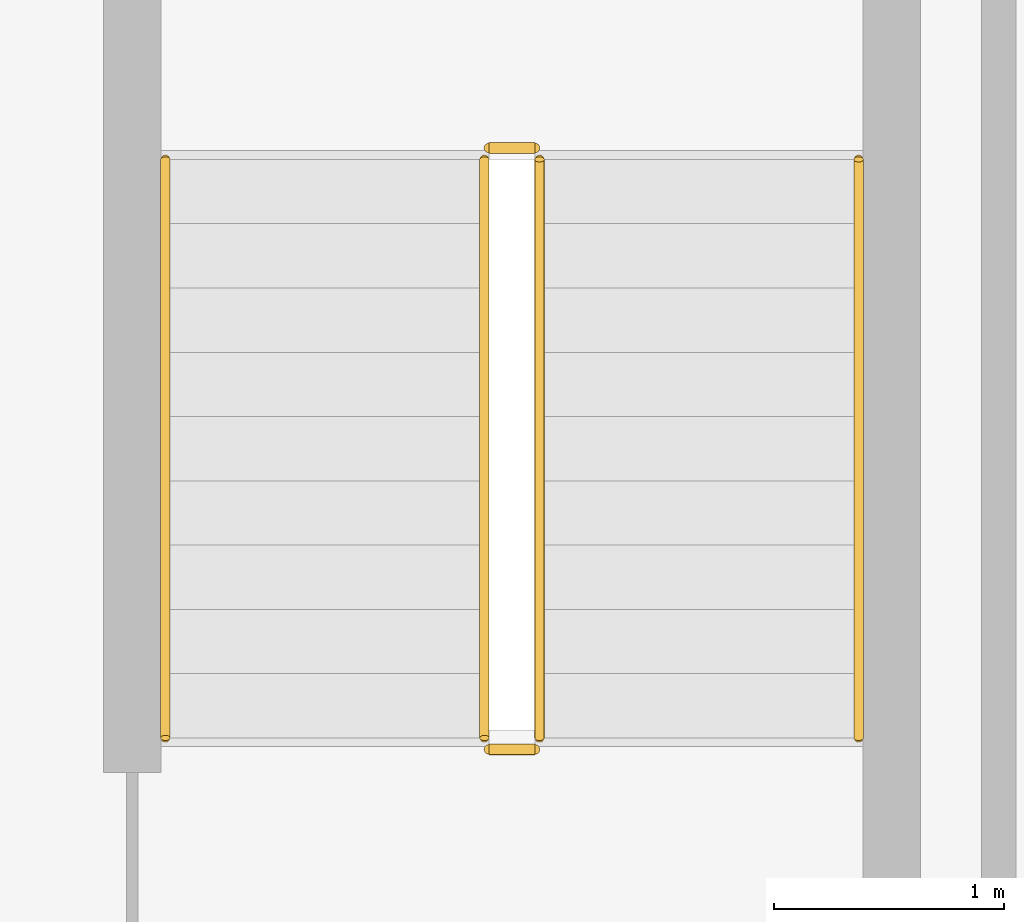
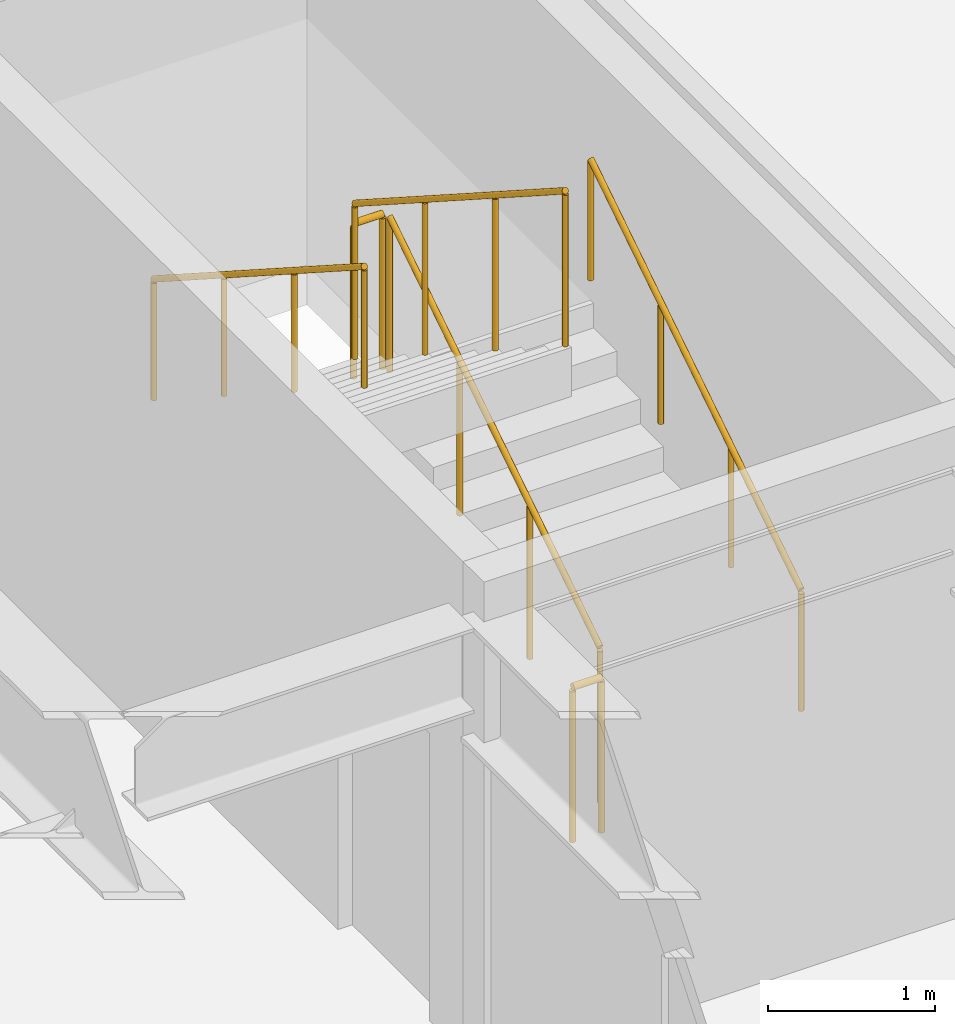
# One storey, part 32 of 35: 6 railings.
"""IFC4 building model written with IfcOpenShell, lengths in metres."""

from ifc_helpers import new_model, si_unit, direction, frame, origin, origin_2d, place, context, subcontext, project, spatial, circle, extrude, material, type_object, element, save


model = new_model("IFC4")

# Units and contexts
model_context = context("Model", 3, precision=1e-05, world=origin(), true_north=direction((0.0, 1.0)))
body_context = subcontext(model_context, "Body", "Model", "MODEL_VIEW")
ifc_project = project(units=[si_unit("LENGTHUNIT", "METRE"), si_unit("AREAUNIT", "SQUARE_METRE"), si_unit("VOLUMEUNIT", "CUBIC_METRE"), si_unit("PLANEANGLEUNIT", "RADIAN"), si_unit("MASSUNIT", "GRAM", prefix="KILO")], contexts=[model_context])

# Site, building, storey
site_placement = place(None, origin())
site = spatial("IfcSite", under=ifc_project, at=site_placement, CompositionType="ELEMENT")
building_placement = place(site_placement, origin())
building = spatial("IfcBuilding", under=site, at=building_placement, Name="Korimba Cascade Residences", CompositionType="ELEMENT")
storey_placement = place(building_placement, frame((0.0, 0.0, 150.10009765625)))
storey = spatial("IfcBuildingStorey", under=building, at=storey_placement, Name="L43", CompositionType="ELEMENT", Elevation=150.10009765625)

# Railings
ifc_material_1 = material(Name="Painted Steel Stairwell Guardrail", Category="steel")
railing_type_1 = type_object("IfcRailingType", Name="RLG-ST-GD1150", PredefinedType="GUARDRAIL", material=ifc_material_1)
railing_1_placement = place(storey_placement, frame((98.14990234375, 39.449951171875, 0.179931640625)))
element("IfcRailing", 1, at=railing_1_placement, inside=storey, type_object=railing_type_1, Name="L43 ST-BR1 stair guard 1", PredefinedType="GUARDRAIL", context=body_context, shape_type="SweptSolid", body=[
    extrude(circle(Radius=0.02099609375, at=origin_2d()), frame((0.0, 0.0, 1.12890625), z_axis=(0.0, 0.841199657755, 0.540724639528), x_axis=(-1.0, 0.0, 0.0)), (0.0, 0.0, 1.0), 2.995849609375),
    extrude(circle(Radius=0.01904296875, at=origin_2d()), origin(), (0.0, 0.0, 1.0), 1.10791015625),
    extrude(circle(Radius=0.01904296875, at=origin_2d()), frame((0.0, 0.840087890625, 0.5400390625)), (0.0, 0.0, 1.0), 1.10791015625),
    extrude(circle(Radius=0.01904296875, at=origin_2d()), frame((0.0, 1.679931640625, 1.079833984375)), (0.0, 0.0, 1.0), 1.10791015625),
    extrude(circle(Radius=0.01904296875, at=origin_2d()), frame((0.0, 2.52001953125, 1.619873046875)), (0.0, 0.0, 1.0), 1.10791015625),
])
railing_2_placement = place(storey_placement, frame((98.1298828125, 42.02001953125, 1.7998046875)))
element("IfcRailing", 2, at=railing_2_placement, inside=storey, type_object=railing_type_1, Name="L43 ST-BR1 stair guard 2", PredefinedType="GUARDRAIL", context=body_context, shape_type="SweptSolid", body=[
    extrude(circle(Radius=0.02392578125, at=origin_2d()), frame((0.0, 0.0, 1.1259765625), z_axis=(-1.0, 0.0, 0.0), x_axis=(0.0, -1.0, 0.0)), (0.0, 0.0, 1.0), 0.199951171875),
    extrude(circle(Radius=0.02099609375, at=origin_2d()), origin(), (0.0, 0.0, 1.0), 1.101806640625),
    extrude(circle(Radius=0.02099609375, at=origin_2d()), frame((-0.199951171875, 0.0, 0.0)), (0.0, 0.0, 1.0), 1.101806640625),
])
railing_3_placement = place(storey_placement, frame((97.909912109375, 41.969970703125, 1.97998046875)))
element("IfcRailing", 3, at=railing_3_placement, inside=storey, type_object=railing_type_1, Name="L43 ST-BR1 stair guard 3", PredefinedType="GUARDRAIL", context=body_context, shape_type="SweptSolid", body=[
    extrude(circle(Radius=0.02099609375, at=origin_2d()), frame((0.0, 0.0, 1.12890625), z_axis=(0.0, -0.841199657755, 0.540724639528), x_axis=(1.0, 0.0, 0.0)), (0.0, 0.0, 1.0), 2.995849609375),
    extrude(circle(Radius=0.01904296875, at=origin_2d()), origin(), (0.0, 0.0, 1.0), 1.10791015625),
    extrude(circle(Radius=0.01904296875, at=origin_2d()), frame((0.0, -0.840087890625, 0.5400390625)), (0.0, 0.0, 1.0), 1.10791015625),
    extrude(circle(Radius=0.01904296875, at=origin_2d()), frame((0.0, -1.679931640625, 1.079833984375)), (0.0, 0.0, 1.0), 1.10791015625),
    extrude(circle(Radius=0.01904296875, at=origin_2d()), frame((0.0, -2.52001953125, 1.619873046875)), (0.0, 0.0, 1.0), 1.10791015625),
])
railing_4_placement = place(storey_placement, frame((98.1298828125, 39.39990234375, 0.0)))
element("IfcRailing", 4, at=railing_4_placement, inside=storey, type_object=railing_type_1, Name="L43 ST-BR1 stair guard 4", PredefinedType="GUARDRAIL", context=body_context, shape_type="SweptSolid", body=[
    extrude(circle(Radius=0.02392578125, at=origin_2d()), frame((0.0, 0.0, 1.1259765625), z_axis=(-1.0, 0.0, 0.0), x_axis=(0.0, -1.0, 0.0)), (0.0, 0.0, 1.0), 0.199951171875),
    extrude(circle(Radius=0.02099609375, at=origin_2d()), origin(), (0.0, 0.0, 1.0), 1.101806640625),
    extrude(circle(Radius=0.02099609375, at=origin_2d()), frame((-0.199951171875, 0.0, 0.0)), (0.0, 0.0, 1.0), 1.101806640625),
])
ifc_material_2 = material(Name="Brushed Stainless Steel Handrail", Category="steel")
railing_type_2 = type_object("IfcRailingType", Name="RLG-ST-HR900", PredefinedType="HANDRAIL", material=ifc_material_2)
railing_5_placement = place(storey_placement, frame((99.5400390625, 39.449951171875, 0.36376953125)))
element("IfcRailing", 5, at=railing_5_placement, inside=storey, type_object=railing_type_2, Name="L43 ST-BR1 stair handrail 1", PredefinedType="HANDRAIL", context=body_context, shape_type="SweptSolid", body=[
    extrude(circle(Radius=0.02099609375, at=origin_2d()), frame((0.0, 0.0, 0.87890625), z_axis=(0.0, 0.841199657755, 0.540724639528), x_axis=(-1.0, 0.0, 0.0)), (0.0, 0.0, 1.0), 2.995849609375),
    extrude(circle(Radius=0.01904296875, at=origin_2d()), origin(), (0.0, 0.0, 1.0), 0.85791015625),
    extrude(circle(Radius=0.01904296875, at=origin_2d()), frame((0.0, 0.840087890625, 0.5400390625)), (0.0, 0.0, 1.0), 0.85791015625),
    extrude(circle(Radius=0.01904296875, at=origin_2d()), frame((0.0, 1.679931640625, 1.079833984375)), (0.0, 0.0, 1.0), 0.85791015625),
    extrude(circle(Radius=0.01904296875, at=origin_2d()), frame((0.0, 2.52001953125, 1.619873046875)), (0.0, 0.0, 1.0), 0.85791015625),
])
railing_6_placement = place(storey_placement, frame((96.52001953125, 41.969970703125, 2.163818359375)))
element("IfcRailing", 6, at=railing_6_placement, inside=storey, type_object=railing_type_2, Name="L43 ST-BR1 stair handrail 2", PredefinedType="HANDRAIL", context=body_context, shape_type="SweptSolid", body=[
    extrude(circle(Radius=0.02099609375, at=origin_2d()), frame((0.0, 0.0, 0.87890625), z_axis=(0.0, -0.841199657755, 0.540724639528), x_axis=(1.0, 0.0, 0.0)), (0.0, 0.0, 1.0), 2.995849609375),
    extrude(circle(Radius=0.01904296875, at=origin_2d()), origin(), (0.0, 0.0, 1.0), 0.85791015625),
    extrude(circle(Radius=0.01904296875, at=origin_2d()), frame((0.0, -0.840087890625, 0.5400390625)), (0.0, 0.0, 1.0), 0.85791015625),
    extrude(circle(Radius=0.01904296875, at=origin_2d()), frame((0.0, -1.679931640625, 1.079833984375)), (0.0, 0.0, 1.0), 0.85791015625),
    extrude(circle(Radius=0.01904296875, at=origin_2d()), frame((0.0, -2.52001953125, 1.619873046875)), (0.0, 0.0, 1.0), 0.85791015625),
])

save(model, "model.ifc")
